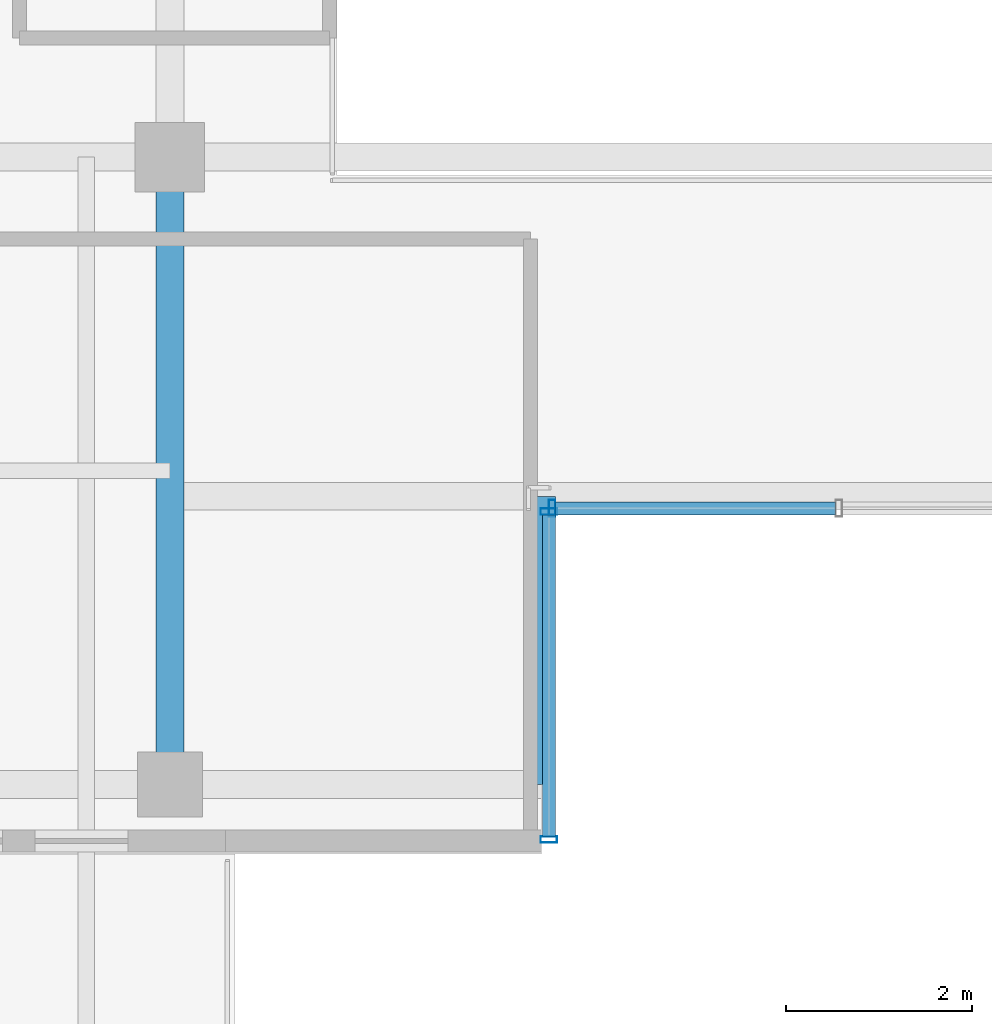
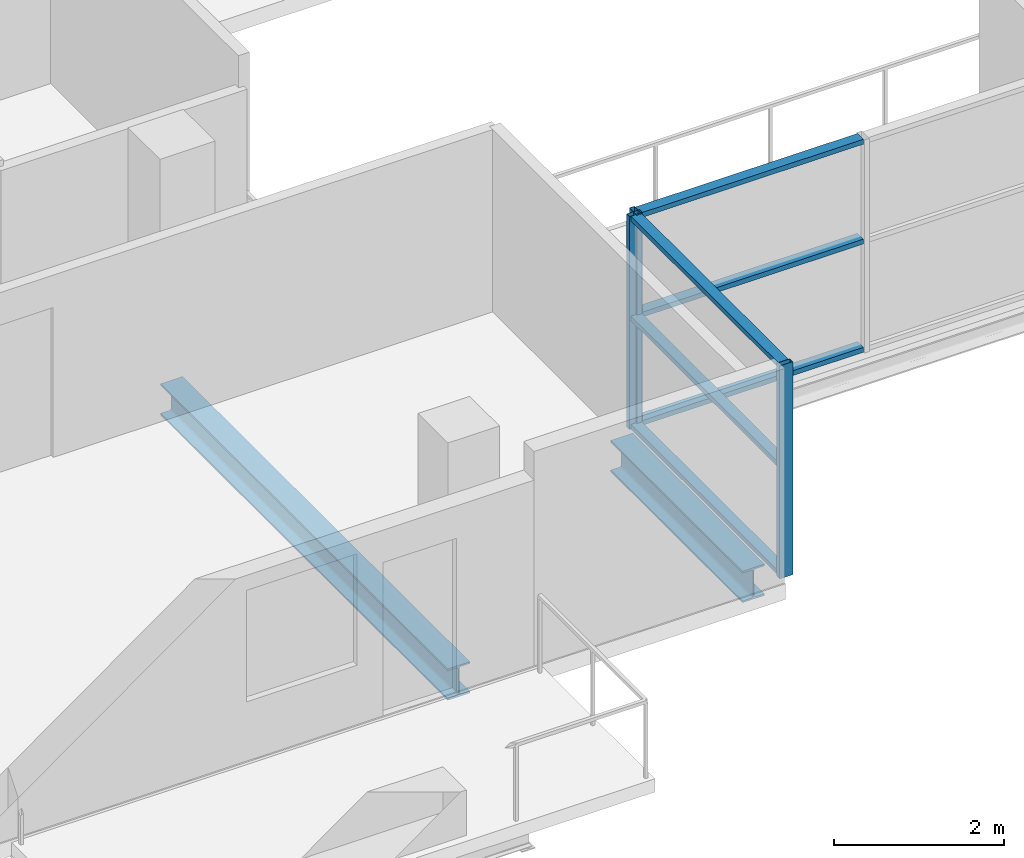
# One storey, part 6 of 23: 9 members, 2 beams, 2 elements without a shape of their own.
"""IFC4 building model written with IfcOpenShell, lengths in metres."""

from ifc_helpers import new_model, si_unit, direction, frame, origin, origin_2d, place, context, subcontext, project, spatial, hollow_rectangle, i_section, extrude, source, transform, mapped, material, layer, layer_set, material_profile, profile_set, type_object, element, aggregate, save


model = new_model("IFC4")

# Units and contexts
model_context = context("Model", 3, precision=1e-05, world=origin(), true_north=direction((0.0, 1.0)))
body_context = subcontext(model_context, "Body", "Model", "MODEL_VIEW")
ifc_project = project(units=[si_unit("LENGTHUNIT", "METRE"), si_unit("AREAUNIT", "SQUARE_METRE"), si_unit("VOLUMEUNIT", "CUBIC_METRE"), si_unit("PLANEANGLEUNIT", "RADIAN"), si_unit("MASSUNIT", "GRAM", prefix="KILO")], contexts=[model_context])

# Site, building, storey
site_placement = place(None, origin())
site = spatial("IfcSite", under=ifc_project, at=site_placement, CompositionType="ELEMENT")
building_placement = place(site_placement, origin())
building = spatial("IfcBuilding", under=site, at=building_placement, Name="Zarnakvel Exchange Tower", CompositionType="ELEMENT")
storey_placement = place(building_placement, frame((0.0, 0.0, 212.199951171875)))
storey = spatial("IfcBuildingStorey", under=building, at=storey_placement, Name="L59", CompositionType="ELEMENT", Elevation=212.199951171875)

# Beams
ifc_material_1 = material(Name="Steel S355", Category="steel")
ifc_material_profile_1 = material_profile(ifc_material_1, i_section(OverallWidth=0.300048828125, OverallDepth=0.449951171875, WebThickness=0.013916015625, FlangeThickness=0.02587890625, FilletRadius=0.027099609375, at=origin_2d()))
ifc_profile_set_1 = profile_set([ifc_material_profile_1], Name="Steel S355")
beam_type = type_object("IfcBeamType", Name="G-07", PredefinedType="BEAM", material=ifc_profile_set_1)
beam_1_placement = place(storey_placement, frame((-3.199951171875, -16.35009765625, -0.449951171875), z_axis=(0.0, 1.0, 0.0), x_axis=(-1.0, 0.0, 0.0)))
element("IfcBeam", 1, at=beam_1_placement, inside=storey, type_object=beam_type, Name="L59 South Slot West Cheek Beam", PredefinedType="BEAM", context=body_context, shape_type="SweptSolid", body=[
    extrude(i_section(OverallWidth=0.300048828125, OverallDepth=0.449951171875, WebThickness=0.013916015625, FlangeThickness=0.02587890625, FilletRadius=0.027099609375, at=origin_2d()), origin(), (0.0, 0.0, 1.0), 3.10009765625),
])
beam_2_placement = place(storey_placement, frame((-7.199951171875, -16.35009765625, -0.449951171875), z_axis=(0.0, 1.0, 0.0), x_axis=(-1.0, 0.0, 0.0)))
element("IfcBeam", 2, at=beam_2_placement, inside=storey, type_object=beam_type, Name="L59 Tower N-S Frame Beam", PredefinedType="BEAM", context=body_context, shape_type="SweptSolid", body=[
    extrude(i_section(OverallWidth=0.300048828125, OverallDepth=0.449951171875, WebThickness=0.013916015625, FlangeThickness=0.02587890625, FilletRadius=0.027099609375, at=origin_2d()), origin(), (0.0, 0.0, 1.0), 6.75),
])

# Curtain wall, members
ifc_material_2 = material(Name="Architectural Bronze Anodised Aluminium", Category="aluminium")
ifc_layer = layer(ifc_material_2, 0.179931640625)
ifc_layer_set = layer_set([ifc_layer], Name="Architectural Bronze Anodised Aluminium")
curtain_wall_type = type_object("IfcCurtainWallType", Name="CW-05", PredefinedType="NOTDEFINED", material=ifc_layer_set)
curtain_wall_1_placement = place(storey_placement, origin())
curtain_wall_1 = element("IfcCurtainWall", 3, at=curtain_wall_1_placement, inside=storey, type_object=curtain_wall_type, Name="L59 Curtain Wall CW-L59-SLW (CW-05)", PredefinedType="NOTDEFINED")
ifc_material_profile_2 = material_profile(ifc_material_2, hollow_rectangle(XDim=0.139892578125, YDim=0.070068359375, WallThickness=0.00390625, at=origin_2d()))
ifc_profile_set_2 = profile_set([ifc_material_profile_2], Name="Architectural Bronze Anodised Aluminium")
member_type_1 = type_object("IfcMemberType", Name="CWT-05", PredefinedType="USERDEFINED", material=ifc_profile_set_2)
shared_shape_1 = source(origin(), body_context, "Body", "SweptSolid", [
    extrude(hollow_rectangle(XDim=0.139892578125, YDim=0.070068359375, WallThickness=0.00390625, at=origin_2d()), origin(), (0.0, 0.0, 1.0), 3.4599609375),
])
member_1_placement = place(storey_placement, frame((-3.1201171875, -16.909912109375, 0.03515625), z_axis=(0.0, 1.0, 0.0), x_axis=(-1.0, 0.0, 0.0)))
member_1 = element("IfcMember", 4, at=member_1_placement, type_object=member_type_1, Name="CW-05 transom 1.1", ObjectType="TRANSOM", PredefinedType="USERDEFINED", context=body_context, shape_type="MappedRepresentation", body=[
    mapped(shared_shape_1, transform((0.0, 0.0, 0.0), x_axis=(1.0, 0.0, 0.0), y_axis=(0.0, 1.0, 0.0), z_axis=(0.0, 0.0, 1.0), scale=1.0)),
])
member_2_placement = place(storey_placement, frame((-3.1201171875, -16.909912109375, 1.588623046875), z_axis=(0.0, 1.0, 0.0), x_axis=(-1.0, 0.0, 0.0)))
member_2 = element("IfcMember", 5, at=member_2_placement, type_object=member_type_1, Name="CW-05 transom 1.2", ObjectType="TRANSOM", PredefinedType="USERDEFINED", context=body_context, shape_type="MappedRepresentation", body=[
    mapped(shared_shape_1, transform((0.0, 0.0, 0.0), x_axis=(1.0, 0.0, 0.0), y_axis=(0.0, 1.0, 0.0), z_axis=(0.0, 0.0, 1.0), scale=1.0)),
])
member_3_placement = place(storey_placement, frame((-3.1201171875, -16.909912109375, 3.02001953125), z_axis=(0.0, 1.0, 0.0), x_axis=(-1.0, 0.0, 0.0)))
member_3 = element("IfcMember", 6, at=member_3_placement, type_object=member_type_1, Name="CW-05 transom 1.3", ObjectType="TRANSOM", PredefinedType="USERDEFINED", context=body_context, shape_type="MappedRepresentation", body=[
    mapped(shared_shape_1, transform((0.0, 0.0, 0.0), x_axis=(1.0, 0.0, 0.0), y_axis=(0.0, 1.0, 0.0), z_axis=(0.0, 0.0, 1.0), scale=1.0)),
])

curtain_wall_2_placement = place(storey_placement, origin())
curtain_wall_2 = element("IfcCurtainWall", 7, at=curtain_wall_2_placement, inside=storey, type_object=curtain_wall_type, Name="L59 Curtain Wall CW-L59-SLB (CW-05)", PredefinedType="NOTDEFINED")
shared_shape_2 = source(origin(), body_context, "Body", "SweptSolid", [
    extrude(hollow_rectangle(XDim=0.139892578125, YDim=0.070068359375, WallThickness=0.00390625, at=origin_2d()), origin(), (0.0, 0.0, 1.0), 3.01513671875),
])
member_4_placement = place(storey_placement, frame((-3.050048828125, -13.3798828125, 0.03515625), z_axis=(1.0, 0.0, 0.0), x_axis=(0.0, 1.0, 0.0)))
member_4 = element("IfcMember", 8, at=member_4_placement, type_object=member_type_1, Name="CW-05 transom 1.1", ObjectType="TRANSOM", PredefinedType="USERDEFINED", context=body_context, shape_type="MappedRepresentation", body=[
    mapped(shared_shape_2, transform((0.0, 0.0, 0.0), x_axis=(1.0, 0.0, 0.0), y_axis=(0.0, 1.0, 0.0), z_axis=(0.0, 0.0, 1.0), scale=1.0)),
])
member_5_placement = place(storey_placement, frame((-3.050048828125, -13.3798828125, 1.588623046875), z_axis=(1.0, 0.0, 0.0), x_axis=(0.0, 1.0, 0.0)))
member_5 = element("IfcMember", 9, at=member_5_placement, type_object=member_type_1, Name="CW-05 transom 1.2", ObjectType="TRANSOM", PredefinedType="USERDEFINED", context=body_context, shape_type="MappedRepresentation", body=[
    mapped(shared_shape_2, transform((0.0, 0.0, 0.0), x_axis=(1.0, 0.0, 0.0), y_axis=(0.0, 1.0, 0.0), z_axis=(0.0, 0.0, 1.0), scale=1.0)),
])
member_6_placement = place(storey_placement, frame((-3.050048828125, -13.3798828125, 3.02001953125), z_axis=(1.0, 0.0, 0.0), x_axis=(0.0, 1.0, 0.0)))
member_6 = element("IfcMember", 10, at=member_6_placement, type_object=member_type_1, Name="CW-05 transom 1.3", ObjectType="TRANSOM", PredefinedType="USERDEFINED", context=body_context, shape_type="MappedRepresentation", body=[
    mapped(shared_shape_2, transform((0.0, 0.0, 0.0), x_axis=(1.0, 0.0, 0.0), y_axis=(0.0, 1.0, 0.0), z_axis=(0.0, 0.0, 1.0), scale=1.0)),
])

# Member
ifc_material_profile_3 = material_profile(ifc_material_2, hollow_rectangle(XDim=0.179931640625, YDim=0.070068359375, WallThickness=0.00390625, at=origin_2d()))
ifc_profile_set_3 = profile_set([ifc_material_profile_3], Name="Architectural Bronze Anodised Aluminium")
member_type_2 = type_object("IfcMemberType", Name="CWM-05", PredefinedType="MULLION", material=ifc_profile_set_3)
shared_shape_3 = source(origin(), body_context, "Body", "SweptSolid", [
    extrude(hollow_rectangle(XDim=0.179931640625, YDim=0.070068359375, WallThickness=0.00390625, at=origin_2d()), origin(), (0.0, 0.0, 1.0), 3.054931640625),
])
member_7_placement = place(storey_placement, frame((-3.1201171875, -16.945068359375, 0.0), z_axis=(0.0, 0.0, 1.0), x_axis=(-1.0, 0.0, 0.0)))
member_7 = element("IfcMember", 11, at=member_7_placement, type_object=member_type_2, Name="CW-05 mullion 1", PredefinedType="MULLION", context=body_context, shape_type="MappedRepresentation", body=[
    mapped(shared_shape_3, transform((0.0, 0.0, 0.0), x_axis=(1.0, 0.0, 0.0), y_axis=(0.0, 1.0, 0.0), z_axis=(0.0, 0.0, 1.0), scale=1.0)),
])

member_8_placement = place(storey_placement, frame((-3.1201171875, -13.4150390625, 0.0), z_axis=(0.0, 0.0, 1.0), x_axis=(-1.0, 0.0, 0.0)))
member_8 = element("IfcMember", 12, at=member_8_placement, type_object=member_type_2, Name="CW-05 mullion 2", PredefinedType="MULLION", context=body_context, shape_type="MappedRepresentation", body=[
    mapped(shared_shape_3, transform((0.0, 0.0, 0.0), x_axis=(1.0, 0.0, 0.0), y_axis=(0.0, 1.0, 0.0), z_axis=(0.0, 0.0, 1.0), scale=1.0)),
])

aggregate(curtain_wall_1, [member_7, member_8, member_1, member_2, member_3])

member_9_placement = place(storey_placement, frame((-3.0849609375, -13.3798828125, 0.0), z_axis=(0.0, 0.0, 1.0), x_axis=(0.0, 1.0, 0.0)))
member_9 = element("IfcMember", 13, at=member_9_placement, type_object=member_type_2, Name="CW-05 mullion 1", PredefinedType="MULLION", context=body_context, shape_type="MappedRepresentation", body=[
    mapped(shared_shape_3, transform((0.0, 0.0, 0.0), x_axis=(1.0, 0.0, 0.0), y_axis=(0.0, 1.0, 0.0), z_axis=(0.0, 0.0, 1.0), scale=1.0)),
])

aggregate(curtain_wall_2, [member_9, member_4, member_5, member_6])

save(model, "model.ifc")
